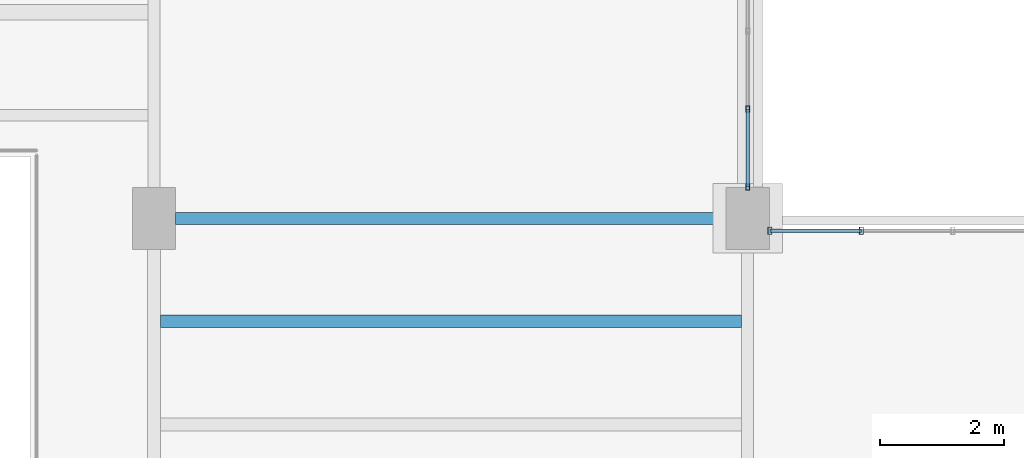
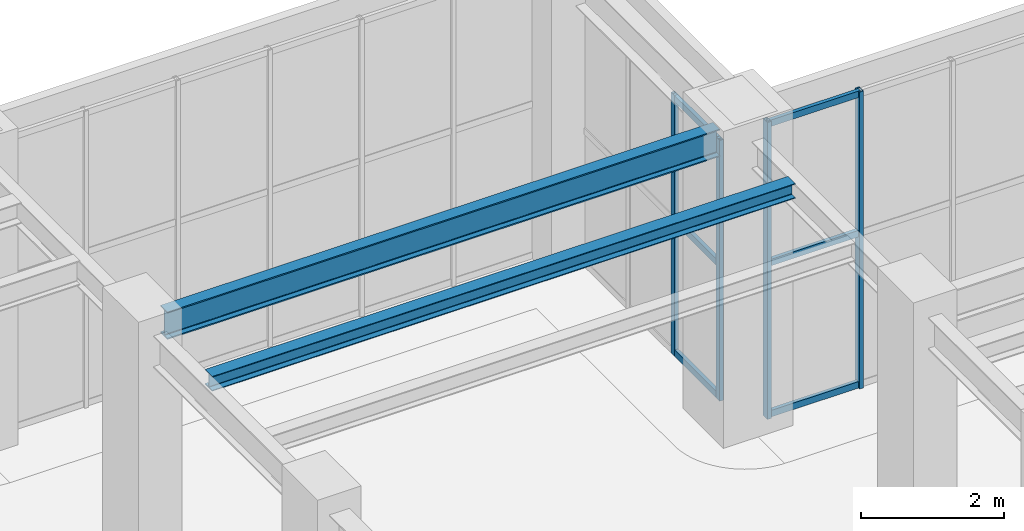
# One storey, part 112 of 164: 10 members, 2 beams, 2 elements without a shape of their own.
"""IFC4 building model written with IfcOpenShell, lengths in metres."""

from ifc_helpers import new_model, si_unit, direction, frame, origin, origin_2d, place, context, subcontext, project, spatial, hollow_rectangle, i_section, extrude, material, material_profile, profile_set, type_object, element, aggregate, save


model = new_model("IFC4")

# Units and contexts
model_context = context("Model", 3, precision=1e-05, world=origin(), true_north=direction((0.0, 1.0)))
body_context = subcontext(model_context, "Body", "Model", "MODEL_VIEW")
ifc_project = project(units=[si_unit("LENGTHUNIT", "METRE"), si_unit("AREAUNIT", "SQUARE_METRE"), si_unit("VOLUMEUNIT", "CUBIC_METRE"), si_unit("PLANEANGLEUNIT", "RADIAN"), si_unit("MASSUNIT", "GRAM", prefix="KILO")], contexts=[model_context])

# Site, building, storey
site_placement = place(None, origin())
site = spatial("IfcSite", under=ifc_project, at=site_placement, CompositionType="ELEMENT")
building_placement = place(site_placement, origin())
building = spatial("IfcBuilding", under=site, at=building_placement, Name="Mavantir Sound Aquarium", CompositionType="ELEMENT")
storey_placement = place(building_placement, origin())
storey = spatial("IfcBuildingStorey", under=building, at=storey_placement, Name="L00", CompositionType="ELEMENT", Elevation=0.0)

# Beams
ifc_material_1 = material(Name="Structural Steel ASTM A992 Gr50", Category="steel")
ifc_material_profile_1 = material_profile(ifc_material_1, i_section(OverallWidth=0.202880859375, OverallDepth=0.251953125, WebThickness=0.008056640625, FlangeThickness=0.013427734375, FilletRadius=0.011962890625, at=origin_2d()), Name="W250X58")
ifc_profile_set_1 = profile_set([ifc_material_profile_1], Name="Structural Steel ASTM A992 Gr50")
beam_type_1 = type_object("IfcBeamType", Name="BM-W250X58-I", PredefinedType="JOIST", material=ifc_profile_set_1)
beam_1_placement = place(storey_placement, frame((156.10595703125, 64.13330078125, 4.9599609375), z_axis=(1.0, 0.0, 0.0), x_axis=(0.0, 1.0, 0.0)))
element("IfcBeam", 1, at=beam_1_placement, inside=storey, type_object=beam_type_1, Name="L00 secondary floor joist SJ-25 560", PredefinedType="JOIST", context=body_context, shape_type="SweptSolid", body=[
    extrude(i_section(OverallWidth=0.202880859375, OverallDepth=0.251953125, WebThickness=0.008056640625, FlangeThickness=0.013427734375, FilletRadius=0.011962890625, at=origin_2d()), origin(), (0.0, 0.0, 1.0), 9.39697265625),
])
ifc_material_profile_2 = material_profile(ifc_material_1, i_section(OverallWidth=0.194091796875, OverallDepth=0.468994140625, WebThickness=0.0126953125, FlangeThickness=0.0205078125, FilletRadius=0.01611328125, at=origin_2d()), Name="W460X106")
ifc_profile_set_2 = profile_set([ifc_material_profile_2], Name="Structural Steel ASTM A992 Gr50")
beam_type_2 = type_object("IfcBeamType", Name="BM-W460X106-I", PredefinedType="BEAM", material=ifc_profile_set_2)
beam_2_placement = place(storey_placement, frame((156.35009765625, 65.800048828125, 4.8515625), z_axis=(1.0, 0.0, 0.0), x_axis=(0.0, 1.0, 0.0)))
element("IfcBeam", 2, at=beam_2_placement, inside=storey, type_object=beam_type_2, Name="L00 primary beam SB-46 947", PredefinedType="BEAM", context=body_context, shape_type="SweptSolid", body=[
    extrude(i_section(OverallWidth=0.194091796875, OverallDepth=0.468994140625, WebThickness=0.0126953125, FlangeThickness=0.0205078125, FilletRadius=0.01611328125, at=origin_2d()), origin(), (0.0, 0.0, 1.0), 8.89990234375),
])

# Curtain wall, members
ifc_material_2 = material(Name="Anodised Marine Aluminium and Low-E Glass", Category="aluminium")
curtain_wall_type_1 = type_object("IfcCurtainWallType", Name="CW-T03", PredefinedType="USERDEFINED", material=ifc_material_2)
curtain_wall_1_placement = place(storey_placement, origin())
curtain_wall_1 = element("IfcCurtainWall", 3, at=curtain_wall_1_placement, inside=storey, type_object=curtain_wall_type_1, Name="L00 unitised curtain wall CW-03 27", ObjectType="UNITISED GLAZING", PredefinedType="USERDEFINED")
ifc_material_3 = material(Name="Anodised Marine Aluminium 6063-T6", Category="aluminium")
ifc_material_profile_3 = material_profile(ifc_material_3, hollow_rectangle(XDim=0.06005859375, YDim=0.10009765625, WallThickness=0.00390625, at=origin_2d()), Name="ALU-MULLION-100X60")
ifc_profile_set_3 = profile_set([ifc_material_profile_3], Name="Anodised Marine Aluminium 6063-T6")
member_type_1 = type_object("IfcMemberType", Name="CW-MUL-100", PredefinedType="MULLION", material=ifc_profile_set_3)
member_1_placement = place(storey_placement, frame((165.60009765625, 66.30810546875, 0.0), z_axis=(0.0, 0.0, 1.0), x_axis=(1.0, 0.0, 0.0)))
member_1 = element("IfcMember", 4, at=member_1_placement, type_object=member_type_1, Name="CW-L00-027 vertical mullion 1", PredefinedType="MULLION", context=body_context, shape_type="SweptSolid", body=[
    extrude(hollow_rectangle(XDim=0.06005859375, YDim=0.10009765625, WallThickness=0.00390625, at=origin_2d()), origin(), (0.0, 0.0, 1.0), 4.445068359375),
])
member_2_placement = place(storey_placement, frame((165.60009765625, 67.5693359375, 0.0), z_axis=(0.0, 0.0, 1.0), x_axis=(1.0, 0.0, 0.0)))
member_2 = element("IfcMember", 5, at=member_2_placement, type_object=member_type_1, Name="CW-L00-027 vertical mullion 2", PredefinedType="MULLION", context=body_context, shape_type="SweptSolid", body=[
    extrude(hollow_rectangle(XDim=0.06005859375, YDim=0.10009765625, WallThickness=0.00390625, at=origin_2d()), origin(), (0.0, 0.0, 1.0), 4.445068359375),
])

curtain_wall_type_2 = type_object("IfcCurtainWallType", Name="CW-T02", PredefinedType="USERDEFINED", material=ifc_material_2)
curtain_wall_2_placement = place(storey_placement, origin())
curtain_wall_2 = element("IfcCurtainWall", 6, at=curtain_wall_2_placement, inside=storey, type_object=curtain_wall_type_2, Name="L00 unitised curtain wall CW-02 26", ObjectType="UNITISED GLAZING", PredefinedType="USERDEFINED")
ifc_material_profile_4 = material_profile(ifc_material_3, hollow_rectangle(XDim=0.06494140625, YDim=0.1201171875, WallThickness=0.00390625, at=origin_2d()), Name="ALU-MULLION-120X65")
ifc_profile_set_4 = profile_set([ifc_material_profile_4], Name="Anodised Marine Aluminium 6063-T6")
member_type_2 = type_object("IfcMemberType", Name="CW-MUL-120", PredefinedType="MULLION", material=ifc_profile_set_4)
member_3_placement = place(storey_placement, frame((167.438720703125, 65.60009765625, 0.0), z_axis=(0.0, 0.0, 1.0), x_axis=(1.0, 0.0, 0.0)))
member_3 = element("IfcMember", 7, at=member_3_placement, type_object=member_type_2, Name="CW-L00-026 vertical mullion 6", PredefinedType="MULLION", context=body_context, shape_type="SweptSolid", body=[
    extrude(hollow_rectangle(XDim=0.06494140625, YDim=0.1201171875, WallThickness=0.00390625, at=origin_2d()), origin(), (0.0, 0.0, 1.0), 5.06005859375),
])
member_4_placement = place(storey_placement, frame((165.9580078125, 65.60009765625, 0.0), z_axis=(0.0, 0.0, 1.0), x_axis=(1.0, 0.0, 0.0)))
member_4 = element("IfcMember", 8, at=member_4_placement, type_object=member_type_2, Name="CW-L00-026 vertical mullion 7", PredefinedType="MULLION", context=body_context, shape_type="SweptSolid", body=[
    extrude(hollow_rectangle(XDim=0.06494140625, YDim=0.1201171875, WallThickness=0.00390625, at=origin_2d()), origin(), (0.0, 0.0, 1.0), 5.06005859375),
])
ifc_material_profile_5 = material_profile(ifc_material_3, hollow_rectangle(XDim=0.06005859375, YDim=0.110107421875, WallThickness=0.00390625, at=origin_2d()), Name="ALU-TRANSOM-110X60")
ifc_profile_set_5 = profile_set([ifc_material_profile_5], Name="Anodised Marine Aluminium 6063-T6")
member_type_3 = type_object("IfcMemberType", Name="CW-TRN-110", PredefinedType="USERDEFINED", material=ifc_profile_set_5)
member_5_placement = place(storey_placement, frame((167.438720703125, 65.60009765625, 0.054931640625), z_axis=(-1.0, 0.0, 0.0), x_axis=(0.0, -1.0, 0.0)))
member_5 = element("IfcMember", 9, at=member_5_placement, type_object=member_type_3, Name="CW-L00-026 transom 6.1", ObjectType="TRANSOM", PredefinedType="USERDEFINED", context=body_context, shape_type="SweptSolid", body=[
    extrude(hollow_rectangle(XDim=0.06005859375, YDim=0.110107421875, WallThickness=0.00390625, at=origin_2d()), origin(), (0.0, 0.0, 1.0), 1.480712890625),
])
member_6_placement = place(storey_placement, frame((167.438720703125, 65.60009765625, 2.631103515625), z_axis=(-1.0, 0.0, 0.0), x_axis=(0.0, -1.0, 0.0)))
member_6 = element("IfcMember", 10, at=member_6_placement, type_object=member_type_3, Name="CW-L00-026 transom 6.2", ObjectType="TRANSOM", PredefinedType="USERDEFINED", context=body_context, shape_type="SweptSolid", body=[
    extrude(hollow_rectangle(XDim=0.06005859375, YDim=0.110107421875, WallThickness=0.00390625, at=origin_2d()), origin(), (0.0, 0.0, 1.0), 1.480712890625),
])
member_7_placement = place(storey_placement, frame((167.438720703125, 65.60009765625, 5.0048828125), z_axis=(-1.0, 0.0, 0.0), x_axis=(0.0, -1.0, 0.0)))
member_7 = element("IfcMember", 11, at=member_7_placement, type_object=member_type_3, Name="CW-L00-026 transom 6.3", ObjectType="TRANSOM", PredefinedType="USERDEFINED", context=body_context, shape_type="SweptSolid", body=[
    extrude(hollow_rectangle(XDim=0.06005859375, YDim=0.110107421875, WallThickness=0.00390625, at=origin_2d()), origin(), (0.0, 0.0, 1.0), 1.480712890625),
])
aggregate(curtain_wall_2, [member_3, member_4, member_5, member_6, member_7])

# Member
member_8_placement = place(storey_placement, frame((165.60009765625, 66.30810546875, 0.054931640625), z_axis=(0.0, 1.0, 0.0), x_axis=(-1.0, 0.0, 0.0)))
member_8 = element("IfcMember", 12, at=member_8_placement, type_object=member_type_3, Name="CW-L00-027 transom 1.1", ObjectType="TRANSOM", PredefinedType="USERDEFINED", context=body_context, shape_type="SweptSolid", body=[
    extrude(hollow_rectangle(XDim=0.06005859375, YDim=0.110107421875, WallThickness=0.00390625, at=origin_2d()), origin(), (0.0, 0.0, 1.0), 1.26123046875),
])

member_9_placement = place(storey_placement, frame((165.60009765625, 66.30810546875, 2.311279296875), z_axis=(0.0, 1.0, 0.0), x_axis=(-1.0, 0.0, 0.0)))
member_9 = element("IfcMember", 13, at=member_9_placement, type_object=member_type_3, Name="CW-L00-027 transom 1.2", ObjectType="TRANSOM", PredefinedType="USERDEFINED", context=body_context, shape_type="SweptSolid", body=[
    extrude(hollow_rectangle(XDim=0.06005859375, YDim=0.110107421875, WallThickness=0.00390625, at=origin_2d()), origin(), (0.0, 0.0, 1.0), 1.26123046875),
])

member_10_placement = place(storey_placement, frame((165.60009765625, 66.30810546875, 4.389892578125), z_axis=(0.0, 1.0, 0.0), x_axis=(-1.0, 0.0, 0.0)))
member_10 = element("IfcMember", 14, at=member_10_placement, type_object=member_type_3, Name="CW-L00-027 transom 1.3", ObjectType="TRANSOM", PredefinedType="USERDEFINED", context=body_context, shape_type="SweptSolid", body=[
    extrude(hollow_rectangle(XDim=0.06005859375, YDim=0.110107421875, WallThickness=0.00390625, at=origin_2d()), origin(), (0.0, 0.0, 1.0), 1.26123046875),
])

aggregate(curtain_wall_1, [member_1, member_2, member_8, member_9, member_10])

save(model, "model.ifc")
